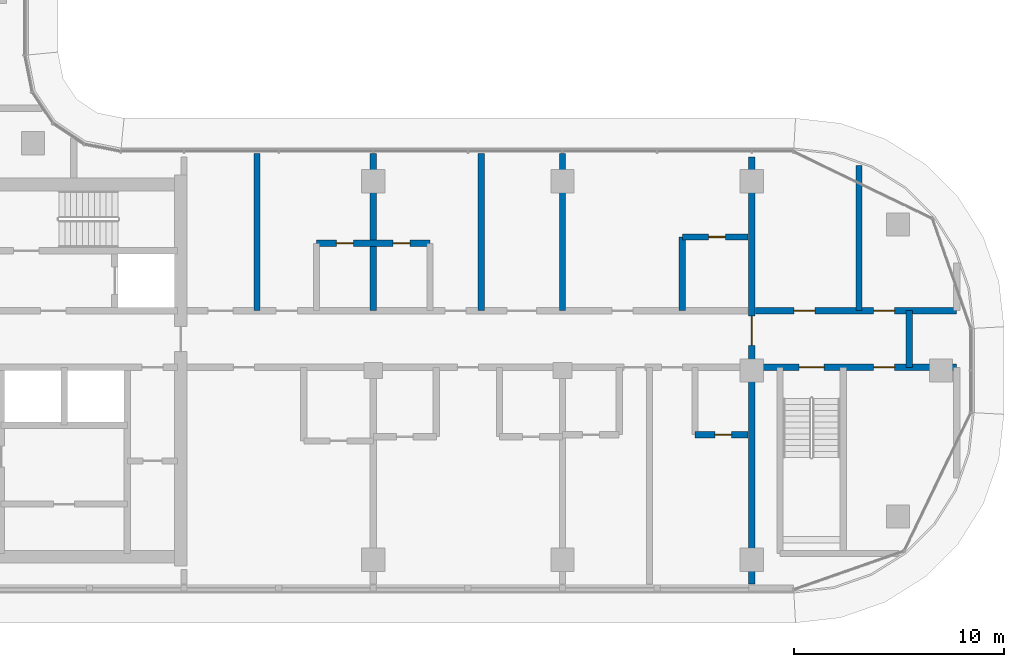
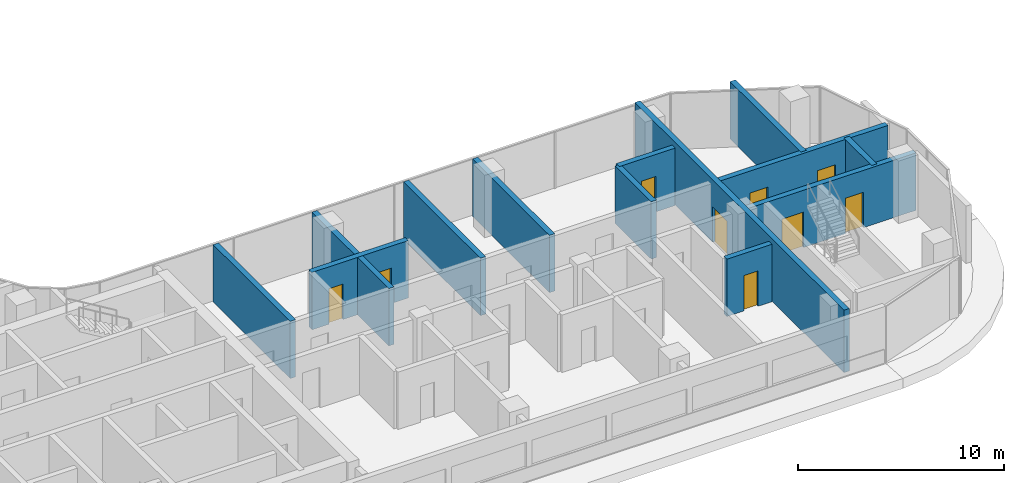
# One storey, part 12 of 24: 13 walls, 9 doors, 9 openings.
"""IFC4 building model written with IfcOpenShell, lengths in metres."""

from ifc_helpers import new_model, si_unit, direction, frame, frame_2d, origin, place, context, subcontext, project, spatial, rectangle, extrude, material, layer, layer_set, type_object, element, fill, save


model = new_model("IFC4")

# Units and contexts
model_context = context("Model", 3, precision=1e-05, world=origin(), true_north=direction((0.0, 1.0)))
body_context = subcontext(model_context, "Body", "Model", "MODEL_VIEW")
ifc_project = project(units=[si_unit("LENGTHUNIT", "METRE"), si_unit("AREAUNIT", "SQUARE_METRE"), si_unit("VOLUMEUNIT", "CUBIC_METRE"), si_unit("PLANEANGLEUNIT", "RADIAN"), si_unit("MASSUNIT", "GRAM", prefix="KILO")], contexts=[model_context])

# Site, building, storey
site_placement = place(None, origin())
site = spatial("IfcSite", under=ifc_project, at=site_placement, CompositionType="ELEMENT")
building_placement = place(site_placement, origin())
building = spatial("IfcBuilding", under=site, at=building_placement, Name="Ogive Portal Towers", CompositionType="ELEMENT")
storey_placement = place(building_placement, frame((0.0, 0.0, 142.199951171875)))
storey = spatial("IfcBuildingStorey", under=building, at=storey_placement, Name="L34", CompositionType="ELEMENT", Elevation=142.199951171875)

# Wall, opening, door
ifc_material_1 = material(Name="Concrete C60/75", Category="concrete")
ifc_layer_1 = layer(ifc_material_1, 0.300048828125)
ifc_layer_set_1 = layer_set([ifc_layer_1], Name="REVEAL WALL 300 C60")
wall_type_1 = type_object("IfcWallType", Name="REVEAL WALL 300 C60", PredefinedType="SHEAR", material=ifc_layer_set_1)
wall_1_placement = place(storey_placement, frame((85.5, 20.35009765625, 0.0), z_axis=(0.0, 0.0, 1.0), x_axis=(0.0, 1.0, 0.0)))
wall_1 = element("IfcWall", 1, at=wall_1_placement, inside=storey, type_object=wall_type_1, Name="Portal reveal wall L34", PredefinedType="SHEAR", context=body_context, shape_type="SweptSolid", body=[
    extrude(rectangle(XDim=20.2998046875, YDim=0.300048828125, at=frame_2d((10.14990234375, 0.0))), origin(), (0.0, 0.0, 1.0), 3.699951171875),
])
opening_1_placement = place(wall_1_placement, frame((11.35009765625, 0.0, 0.0)))
opening_1 = element("IfcOpeningElement", 2, at=opening_1_placement, cuts=wall_1, Name="Opening D13-064", PredefinedType="OPENING", context=body_context, shape_type="SweptSolid", body=[
    extrude(rectangle(XDim=1.39990234375, YDim=2.10009765625, at=frame_2d((0.699951171875, 1.050048828125))), frame((0.0, 0.16015625, 0.0), z_axis=(0.0, -1.0, 0.0), x_axis=(1.0, 0.0, 0.0)), (0.0, 0.0, 1.0), 0.320068359375),
])
ifc_material_2 = material(Name="Steel fire door", Category="steel")
door_type_1 = type_object("IfcDoorType", Name="DT-STAIR-1400x2100-FD90S", OperationType="SINGLE_SWING_LEFT", PredefinedType="DOOR", material=ifc_material_2)
door_1_placement = place(opening_1_placement, origin())
door_1 = element("IfcDoor", 3, at=door_1_placement, inside=storey, type_object=door_type_1, Name="Door D13-064", OperationType="SINGLE_SWING_RIGHT", OverallHeight=2.10009765625, OverallWidth=1.39990234375, PredefinedType="DOOR", context=body_context, shape_type="SweptSolid", body=[
    extrude(rectangle(XDim=1.39990234375, YDim=2.10009765625, at=frame_2d((0.699951171875, 1.050048828125))), frame((0.0, 0.02490234375, 0.0), z_axis=(0.0, -1.0, 0.0), x_axis=(1.0, 0.0, 0.0)), (0.0, 0.0, 1.0), 0.050048828125),
])
fill(opening_1, door_1)

# Wall, openings, doors
ifc_material_3 = material(Name="Concrete C50/60", Category="concrete")
ifc_layer_2 = layer(ifc_material_3, 0.300048828125)
ifc_layer_set_2 = layer_set([ifc_layer_2], Name="STAIR WALL 300 C50")
wall_type_2 = type_object("IfcWallType", Name="STAIR WALL 300 C50", PredefinedType="SHEAR", material=ifc_layer_set_2)
wall_2_placement = place(storey_placement, frame((85.669921875, 30.64990234375, 0.0), z_axis=(0.0, 0.0, 1.0), x_axis=(1.0, 0.0, 0.0)))
wall_2 = element("IfcWall", 4, at=wall_2_placement, inside=storey, type_object=wall_type_2, Name="Stair wall ST-A4 L34", PredefinedType="SHEAR", context=body_context, shape_type="SweptSolid", body=[
    extrude(rectangle(XDim=9.580078125, YDim=0.300048828125, at=frame_2d((4.7900390625, 0.0))), origin(), (0.0, 0.0, 1.0), 3.400146484375),
])
opening_2_placement = place(wall_2_placement, frame((2.080078125, 0.0, 0.0)))
opening_2 = element("IfcOpeningElement", 5, at=opening_2_placement, cuts=wall_2, Name="Opening D13-059", PredefinedType="OPENING", context=body_context, shape_type="SweptSolid", body=[
    extrude(rectangle(XDim=1.199951171875, YDim=2.10009765625, at=frame_2d((0.60009765625, 1.050048828125))), frame((0.0, 0.16015625, 0.0), z_axis=(0.0, -1.0, 0.0), x_axis=(1.0, 0.0, 0.0)), (0.0, 0.0, 1.0), 0.320068359375),
])
opening_3_placement = place(wall_2_placement, frame((5.6298828125, 0.0, 0.0)))
opening_3 = element("IfcOpeningElement", 6, at=opening_3_placement, cuts=wall_2, Name="Opening D13-062", PredefinedType="OPENING", context=body_context, shape_type="SweptSolid", body=[
    extrude(rectangle(XDim=1.0, YDim=2.10009765625, at=frame_2d((0.5, 1.050048828125))), frame((0.0, 0.16015625, 0.0), z_axis=(0.0, -1.0, 0.0), x_axis=(1.0, 0.0, 0.0)), (0.0, 0.0, 1.0), 0.320068359375),
])
door_type_2 = type_object("IfcDoorType", Name="DT-SERVICE-1000x2100-FD90S", OperationType="SINGLE_SWING_LEFT", PredefinedType="DOOR", material=ifc_material_2)
door_2_placement = place(opening_3_placement, origin())
door_2 = element("IfcDoor", 7, at=door_2_placement, inside=storey, type_object=door_type_2, Name="Door D13-062", OperationType="SINGLE_SWING_LEFT", OverallHeight=2.10009765625, OverallWidth=1.0, PredefinedType="DOOR", context=body_context, shape_type="SweptSolid", body=[
    extrude(rectangle(XDim=1.0, YDim=2.10009765625, at=frame_2d((0.5, 1.050048828125))), frame((0.0, 0.02490234375, 0.0), z_axis=(0.0, -1.0, 0.0), x_axis=(1.0, 0.0, 0.0)), (0.0, 0.0, 1.0), 0.050048828125),
])
fill(opening_3, door_2)
door_type_3 = type_object("IfcDoorType", Name="DT-STAIR-1200x2100-FD90S", OperationType="SINGLE_SWING_LEFT", PredefinedType="DOOR", material=ifc_material_2)
door_3_placement = place(opening_2_placement, origin())
door_3 = element("IfcDoor", 8, at=door_3_placement, inside=storey, type_object=door_type_3, Name="Door D13-059", OperationType="SINGLE_SWING_LEFT", OverallHeight=2.10009765625, OverallWidth=1.199951171875, PredefinedType="DOOR", context=body_context, shape_type="SweptSolid", body=[
    extrude(rectangle(XDim=1.199951171875, YDim=2.10009765625, at=frame_2d((0.60009765625, 1.050048828125))), frame((0.0, 0.02490234375, 0.0), z_axis=(0.0, -1.0, 0.0), x_axis=(1.0, 0.0, 0.0)), (0.0, 0.0, 1.0), 0.050048828125),
])
fill(opening_2, door_3)

ifc_material_4 = material(Name="Gypsum board partition on steel studs", Category="steel")
ifc_layer_3 = layer(ifc_material_4, 0.300048828125)
ifc_layer_set_3 = layer_set([ifc_layer_3], Name="WT-PART-300-EI 120")
wall_type_3 = type_object("IfcWallType", Name="WT-PART-300-EI 120", PredefinedType="PARTITIONING", material=ifc_layer_set_3)
wall_3_placement = place(storey_placement, frame((85.669921875, 33.35009765625, 0.0), z_axis=(0.0, 0.0, 1.0), x_axis=(1.0, 0.0, 0.0)))
wall_3 = element("IfcWall", 9, at=wall_3_placement, inside=storey, type_object=wall_type_3, Name="Wall L34:w010", PredefinedType="PARTITIONING", context=body_context, shape_type="SweptSolid", body=[
    extrude(rectangle(XDim=9.580078125, YDim=0.300048828125, at=frame_2d((4.7900390625, 0.0))), origin(), (0.0, 0.0, 1.0), 3.400146484375),
])
opening_4_placement = place(wall_3_placement, frame((1.830078125, 0.0, 0.0)))
opening_4 = element("IfcOpeningElement", 10, at=opening_4_placement, cuts=wall_3, Name="Opening D13-060", PredefinedType="OPENING", context=body_context, shape_type="SweptSolid", body=[
    extrude(rectangle(XDim=1.0, YDim=2.10009765625, at=frame_2d((0.5, 1.050048828125))), frame((0.0, 0.16015625, 0.0), z_axis=(0.0, -1.0, 0.0), x_axis=(1.0, 0.0, 0.0)), (0.0, 0.0, 1.0), 0.320068359375),
])
opening_5_placement = place(wall_3_placement, frame((5.6298828125, 0.0, 0.0)))
opening_5 = element("IfcOpeningElement", 11, at=opening_5_placement, cuts=wall_3, Name="Opening D13-061", PredefinedType="OPENING", context=body_context, shape_type="SweptSolid", body=[
    extrude(rectangle(XDim=1.0, YDim=2.10009765625, at=frame_2d((0.5, 1.050048828125))), frame((0.0, 0.16015625, 0.0), z_axis=(0.0, -1.0, 0.0), x_axis=(1.0, 0.0, 0.0)), (0.0, 0.0, 1.0), 0.320068359375),
])
door_4_placement = place(opening_4_placement, origin())
door_4 = element("IfcDoor", 12, at=door_4_placement, inside=storey, type_object=door_type_2, Name="Door D13-060", OperationType="SINGLE_SWING_LEFT", OverallHeight=2.10009765625, OverallWidth=1.0, PredefinedType="DOOR", context=body_context, shape_type="SweptSolid", body=[
    extrude(rectangle(XDim=1.0, YDim=2.10009765625, at=frame_2d((0.5, 1.050048828125))), frame((0.0, 0.02490234375, 0.0), z_axis=(0.0, -1.0, 0.0), x_axis=(1.0, 0.0, 0.0)), (0.0, 0.0, 1.0), 0.050048828125),
])
fill(opening_4, door_4)
door_5_placement = place(opening_5_placement, origin())
door_5 = element("IfcDoor", 13, at=door_5_placement, inside=storey, type_object=door_type_2, Name="Riser access door D13-061", OperationType="SINGLE_SWING_RIGHT", OverallHeight=2.10009765625, OverallWidth=1.0, PredefinedType="DOOR", context=body_context, shape_type="SweptSolid", body=[
    extrude(rectangle(XDim=1.0, YDim=2.10009765625, at=frame_2d((0.5, 1.050048828125))), frame((0.0, 0.02490234375, 0.0), z_axis=(0.0, -1.0, 0.0), x_axis=(1.0, 0.0, 0.0)), (0.0, 0.0, 1.0), 0.050048828125),
])
fill(opening_5, door_5)

# Wall
wall_4_placement = place(storey_placement, frame((93.0, 30.64990234375, 0.0), z_axis=(0.0, 0.0, 1.0), x_axis=(0.0, 1.0, 0.0)))
element("IfcWall", 14, at=wall_4_placement, inside=storey, type_object=wall_type_3, Name="Wall L34:w062", PredefinedType="PARTITIONING", context=body_context, shape_type="SweptSolid", body=[
    extrude(rectangle(XDim=2.7001953125, YDim=0.300048828125, at=frame_2d((1.35009765625, 0.0))), origin(), (0.0, 0.0, 1.0), 3.400146484375),
])

# Wall, opening, door
ifc_layer_4 = layer(ifc_material_4, 0.300048828125)
ifc_layer_set_4 = layer_set([ifc_layer_4], Name="WT-PART-300-EI 60")
wall_type_4 = type_object("IfcWallType", Name="WT-PART-300-EI 60", PredefinedType="PARTITIONING", material=ifc_layer_set_4)
wall_5_placement = place(storey_placement, frame((82.800048828125, 27.449951171875, 0.0), z_axis=(0.0, 0.0, 1.0), x_axis=(1.0, 0.0, 0.0)))
wall_5 = element("IfcWall", 15, at=wall_5_placement, inside=storey, type_object=wall_type_4, Name="Wall L34:w006", PredefinedType="PARTITIONING", context=body_context, shape_type="SweptSolid", body=[
    extrude(rectangle(XDim=2.530029296875, YDim=0.300048828125, at=frame_2d((1.26513671875, 0.0))), origin(), (0.0, 0.0, 1.0), 3.400146484375),
])
opening_6_placement = place(wall_5_placement, frame((0.949951171875, 0.0, 0.0)))
opening_6 = element("IfcOpeningElement", 16, at=opening_6_placement, cuts=wall_5, Name="Opening D13-041", PredefinedType="OPENING", context=body_context, shape_type="SweptSolid", body=[
    extrude(rectangle(XDim=0.800048828125, YDim=2.10009765625, at=frame_2d((0.39990234375, 1.050048828125))), frame((0.0, 0.16015625, 0.0), z_axis=(0.0, -1.0, 0.0), x_axis=(1.0, 0.0, 0.0)), (0.0, 0.0, 1.0), 0.320068359375),
])
door_type_4 = type_object("IfcDoorType", Name="DT-BATH-800x2100-FD60S", OperationType="SINGLE_SWING_LEFT", PredefinedType="DOOR", material=ifc_material_2)
door_6_placement = place(opening_6_placement, origin())
door_6 = element("IfcDoor", 17, at=door_6_placement, inside=storey, type_object=door_type_4, Name="Door D13-041", OperationType="SINGLE_SWING_LEFT", OverallHeight=2.10009765625, OverallWidth=0.800048828125, PredefinedType="DOOR", context=body_context, shape_type="SweptSolid", body=[
    extrude(rectangle(XDim=0.800048828125, YDim=2.10009765625, at=frame_2d((0.39990234375, 1.050048828125))), frame((0.0, 0.02490234375, 0.0), z_axis=(0.0, -1.0, 0.0), x_axis=(1.0, 0.0, 0.0)), (0.0, 0.0, 1.0), 0.050048828125),
])
fill(opening_6, door_6)

# Wall, openings, doors
wall_6_placement = place(storey_placement, frame((64.800048828125, 36.550048828125, 0.0), z_axis=(0.0, 0.0, 1.0), x_axis=(1.0, 0.0, 0.0)))
wall_6 = element("IfcWall", 18, at=wall_6_placement, inside=storey, type_object=wall_type_4, Name="Wall L34:w011", PredefinedType="PARTITIONING", context=body_context, shape_type="SweptSolid", body=[
    extrude(rectangle(XDim=5.39990234375, YDim=0.300048828125, at=frame_2d((2.699951171875, 0.0))), origin(), (0.0, 0.0, 1.0), 3.400146484375),
])
opening_7_placement = place(wall_6_placement, frame((0.949951171875, 0.0, 0.0)))
opening_7 = element("IfcOpeningElement", 19, at=opening_7_placement, cuts=wall_6, Name="Opening D13-027", PredefinedType="OPENING", context=body_context, shape_type="SweptSolid", body=[
    extrude(rectangle(XDim=0.800048828125, YDim=2.10009765625, at=frame_2d((0.39990234375, 1.050048828125))), frame((0.0, 0.16015625, 0.0), z_axis=(0.0, -1.0, 0.0), x_axis=(1.0, 0.0, 0.0)), (0.0, 0.0, 1.0), 0.320068359375),
])
opening_8_placement = place(wall_6_placement, frame((3.64990234375, 0.0, 0.0)))
opening_8 = element("IfcOpeningElement", 20, at=opening_8_placement, cuts=wall_6, Name="Opening D13-031", PredefinedType="OPENING", context=body_context, shape_type="SweptSolid", body=[
    extrude(rectangle(XDim=0.800048828125, YDim=2.10009765625, at=frame_2d((0.39990234375, 1.050048828125))), frame((0.0, 0.16015625, 0.0), z_axis=(0.0, -1.0, 0.0), x_axis=(1.0, 0.0, 0.0)), (0.0, 0.0, 1.0), 0.320068359375),
])
door_7_placement = place(opening_7_placement, origin())
door_7 = element("IfcDoor", 21, at=door_7_placement, inside=storey, type_object=door_type_4, Name="Door D13-027", OperationType="SINGLE_SWING_RIGHT", OverallHeight=2.10009765625, OverallWidth=0.800048828125, PredefinedType="DOOR", context=body_context, shape_type="SweptSolid", body=[
    extrude(rectangle(XDim=0.800048828125, YDim=2.10009765625, at=frame_2d((0.39990234375, 1.050048828125))), frame((0.0, 0.02490234375, 0.0), z_axis=(0.0, -1.0, 0.0), x_axis=(1.0, 0.0, 0.0)), (0.0, 0.0, 1.0), 0.050048828125),
])
fill(opening_7, door_7)
door_8_placement = place(opening_8_placement, origin())
door_8 = element("IfcDoor", 22, at=door_8_placement, inside=storey, type_object=door_type_4, Name="Door D13-031", OperationType="SINGLE_SWING_LEFT", OverallHeight=2.10009765625, OverallWidth=0.800048828125, PredefinedType="DOOR", context=body_context, shape_type="SweptSolid", body=[
    extrude(rectangle(XDim=0.800048828125, YDim=2.10009765625, at=frame_2d((0.39990234375, 1.050048828125))), frame((0.0, 0.02490234375, 0.0), z_axis=(0.0, -1.0, 0.0), x_axis=(1.0, 0.0, 0.0)), (0.0, 0.0, 1.0), 0.050048828125),
])
fill(opening_8, door_8)

# Wall, opening, door
wall_7_placement = place(storey_placement, frame((82.199951171875, 36.85009765625, 0.0), z_axis=(0.0, 0.0, 1.0), x_axis=(1.0, 0.0, 0.0)))
wall_7 = element("IfcWall", 23, at=wall_7_placement, inside=storey, type_object=wall_type_4, Name="Wall L34:w012", PredefinedType="PARTITIONING", context=body_context, shape_type="SweptSolid", body=[
    extrude(rectangle(XDim=3.130126953125, YDim=0.300048828125, at=frame_2d((1.56494140625, 0.0))), origin(), (0.0, 0.0, 1.0), 3.400146484375),
])
opening_9_placement = place(wall_7_placement, frame((1.25, 0.0, 0.0)))
opening_9 = element("IfcOpeningElement", 24, at=opening_9_placement, cuts=wall_7, Name="Opening D13-037", PredefinedType="OPENING", context=body_context, shape_type="SweptSolid", body=[
    extrude(rectangle(XDim=0.800048828125, YDim=2.10009765625, at=frame_2d((0.39990234375, 1.050048828125))), frame((0.0, 0.16015625, 0.0), z_axis=(0.0, -1.0, 0.0), x_axis=(1.0, 0.0, 0.0)), (0.0, 0.0, 1.0), 0.320068359375),
])
door_9_placement = place(opening_9_placement, origin())
door_9 = element("IfcDoor", 25, at=door_9_placement, inside=storey, type_object=door_type_4, Name="Door D13-037", OperationType="SINGLE_SWING_LEFT", OverallHeight=2.10009765625, OverallWidth=0.800048828125, PredefinedType="DOOR", context=body_context, shape_type="SweptSolid", body=[
    extrude(rectangle(XDim=0.800048828125, YDim=2.10009765625, at=frame_2d((0.39990234375, 1.050048828125))), frame((0.0, 0.02490234375, 0.0), z_axis=(0.0, -1.0, 0.0), x_axis=(1.0, 0.0, 0.0)), (0.0, 0.0, 1.0), 0.050048828125),
])
fill(opening_9, door_9)

# Walls
for number, where, z_axis, x_axis, name in (
    (26, (61.969970703125, 33.35009765625, 0.0), (0.0, 0.0, 1.0), (0.0, 1.0, 0.0), "Wall L34:w044"),
    (27, (67.5, 33.35009765625, 0.0), (0.0, 0.0, 1.0), (0.0, 1.0, 0.0), "Wall L34:w048"),
    (28, (72.6298828125, 33.35009765625, 0.0), (0.0, 0.0, 1.0), (0.0, 1.0, 0.0), "Wall L34:w051"),
    (29, (76.5, 33.35009765625, 0.0), (0.0, 0.0, 1.0), (0.0, 1.0, 0.0), "Wall L34:w054"),
):
    element("IfcWall", number, at=place(storey_placement, frame(where, z_axis=z_axis, x_axis=x_axis)), inside=storey, type_object=wall_type_4, Name=name, PredefinedType="PARTITIONING", context=body_context, shape_type="SweptSolid", body=[
        extrude(rectangle(XDim=7.47998046875, YDim=0.300048828125, at=frame_2d((3.739990234375, 0.0))), origin(), (0.0, 0.0, 1.0), 3.400146484375),
    ])
wall_8_placement = place(storey_placement, frame((82.199951171875, 33.35009765625, 0.0), z_axis=(0.0, 0.0, 1.0), x_axis=(0.0, 1.0, 0.0)))
element("IfcWall", 30, at=wall_8_placement, inside=storey, type_object=wall_type_4, Name="Wall L34:w057", PredefinedType="PARTITIONING", context=body_context, shape_type="SweptSolid", body=[
    extrude(rectangle(XDim=3.5, YDim=0.300048828125, at=frame_2d((1.75, 0.0))), origin(), (0.0, 0.0, 1.0), 3.400146484375),
])
wall_9_placement = place(storey_placement, frame((90.60009765625, 33.35009765625, 0.0), z_axis=(0.0, 0.0, 1.0), x_axis=(0.0, 1.0, 0.0)))
element("IfcWall", 31, at=wall_9_placement, inside=storey, type_object=wall_type_4, Name="Wall L34:w061", PredefinedType="PARTITIONING", context=body_context, shape_type="SweptSolid", body=[
    extrude(rectangle(XDim=6.89794921875, YDim=0.300048828125, at=frame_2d((3.448974609375, 0.0))), origin(), (0.0, 0.0, 1.0), 3.400146484375),
])

save(model, "model.ifc")
